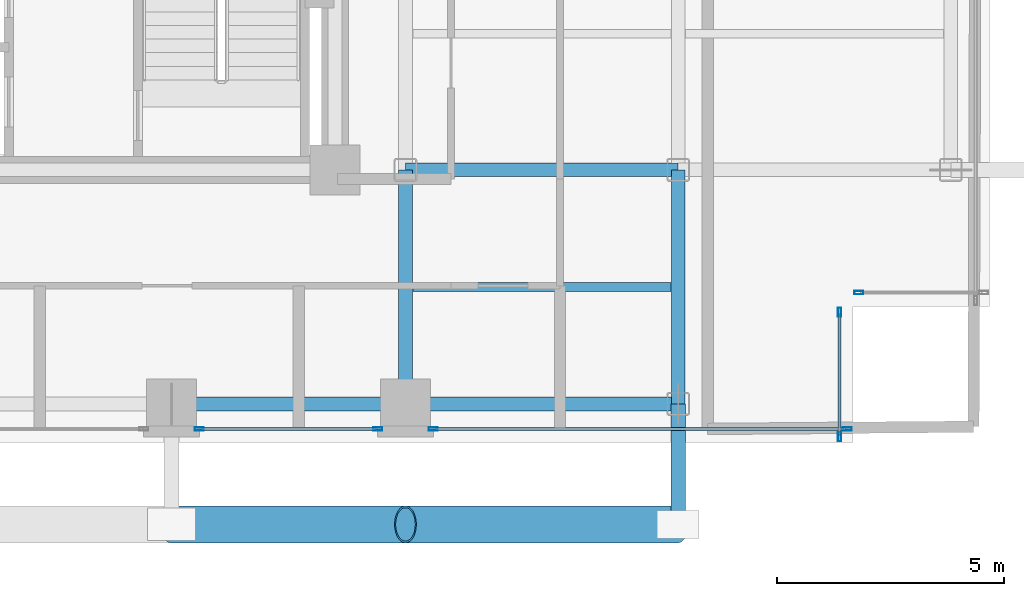
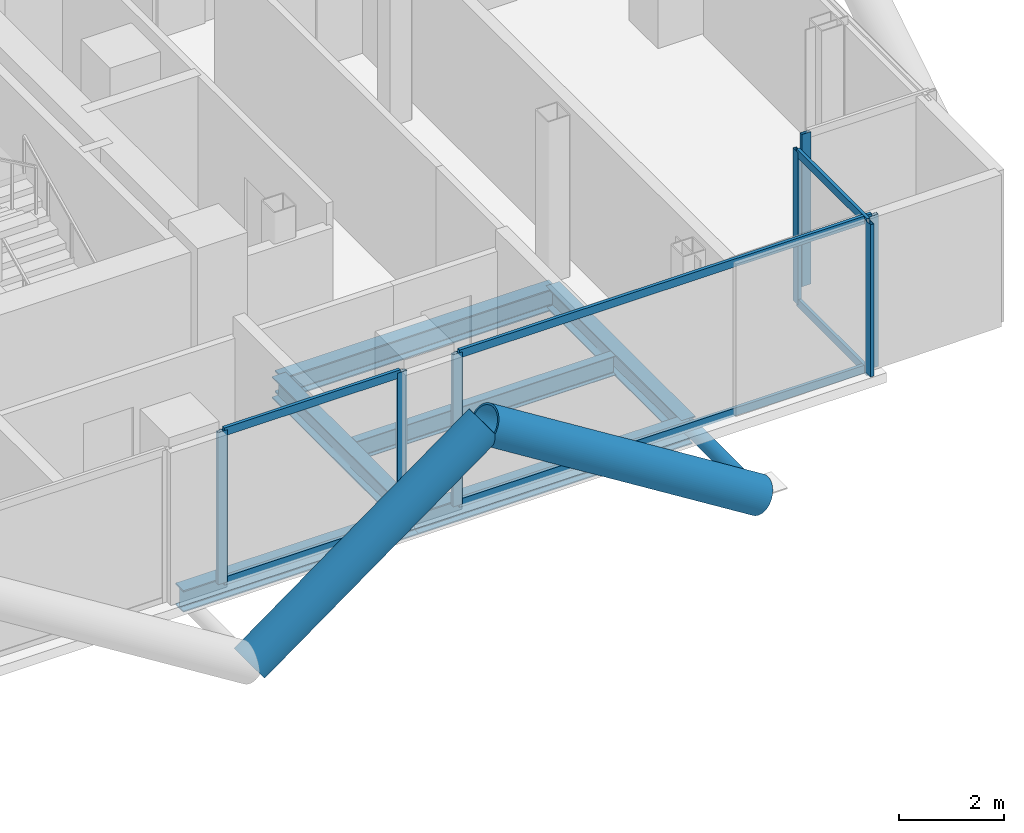
# One storey, part 9 of 24: 16 members, 6 beams, 4 elements without a shape of their own.
"""IFC4 building model written with IfcOpenShell, lengths in metres."""

from ifc_helpers import new_model, si_unit, direction, frame, origin, origin_2d, place, context, subcontext, project, spatial, hollow_rectangle, hollow_circle, i_section, extrude, material, layer, layer_set, material_profile, profile_set, type_object, element, aggregate, save


model = new_model("IFC4")

# Units and contexts
model_context = context("Model", 3, precision=1e-05, world=origin(), true_north=direction((0.0, 1.0)))
body_context = subcontext(model_context, "Body", "Model", "MODEL_VIEW")
ifc_project = project(units=[si_unit("LENGTHUNIT", "METRE"), si_unit("AREAUNIT", "SQUARE_METRE"), si_unit("VOLUMEUNIT", "CUBIC_METRE"), si_unit("PLANEANGLEUNIT", "RADIAN"), si_unit("MASSUNIT", "GRAM", prefix="KILO"), si_unit("THERMODYNAMICTEMPERATUREUNIT", "KELVIN"), si_unit("POWERUNIT", "WATT")], contexts=[model_context])

# Site, building, storey
site_placement = place(None, origin())
site = spatial("IfcSite", under=ifc_project, at=site_placement, CompositionType="ELEMENT")
building_placement = place(site_placement, origin())
building = spatial("IfcBuilding", under=site, at=building_placement, Name="Svarakhadi Broadcast Tower", CompositionType="ELEMENT")
storey_placement = place(building_placement, frame((0.0, 0.0, 126.89990234375)))
storey = spatial("IfcBuildingStorey", under=building, at=storey_placement, Name="L30", CompositionType="ELEMENT", Elevation=126.89990234375)

# Beam
ifc_material_1 = material(Name="Steel S355J2 (IS 2062 E350C)", Category="steel")
ifc_material_profile_1 = material_profile(ifc_material_1, i_section(OverallWidth=0.18994140625, OverallDepth=0.449951171875, WebThickness=0.009521484375, FlangeThickness=0.0146484375, FilletRadius=0.02099609375, at=origin_2d()), Name="NPB 450x190x78")
ifc_profile_set_1 = profile_set([ifc_material_profile_1], Name="Steel S355J2 (IS 2062 E350C)")
beam_type_1 = type_object("IfcBeamType", Name="Beam_NPB450", PredefinedType="BEAM", material=ifc_profile_set_1)
beam_1_placement = place(storey_placement, frame((35.31005859375, 3.425048828125, -0.449951171875), z_axis=(1.0, 0.0, 0.0), x_axis=(0.0, 1.0, 0.0)))
element("IfcBeam", 1, at=beam_1_placement, inside=storey, type_object=beam_type_1, Name="L30 Secondary Composite Beam SB019", PredefinedType="BEAM", context=body_context, shape_type="SweptSolid", body=[
    extrude(i_section(OverallWidth=0.18994140625, OverallDepth=0.449951171875, WebThickness=0.009521484375, FlangeThickness=0.0146484375, FilletRadius=0.02099609375, at=origin_2d()), origin(), (0.0, 0.0, 1.0), 5.679931640625),
])

# Curtain wall, member
ifc_material_2 = material(Name="Anodised Bronze Aluminium AA 6063-T6", Category="aluminium")
ifc_layer = layer(ifc_material_2, 0.199951171875)
ifc_layer_set = layer_set([ifc_layer], Name="Anodised Bronze Aluminium AA 6063-T6")
curtain_wall_type = type_object("IfcCurtainWallType", Name="CW_Sys_03", PredefinedType="NOTDEFINED", material=ifc_layer_set)
curtain_wall_1_placement = place(storey_placement, origin())
curtain_wall_1 = element("IfcCurtainWall", 2, at=curtain_wall_1_placement, inside=storey, type_object=curtain_wall_type, Name="L30 Unitised Facade Curtain Wall 14", PredefinedType="NOTDEFINED")
ifc_material_profile_2 = material_profile(ifc_material_2, hollow_rectangle(XDim=0.074951171875, YDim=0.199951171875, WallThickness=0.005615234375, at=origin_2d()), Name="ALU MULLION 200x75x6")
ifc_profile_set_2 = profile_set([ifc_material_profile_2], Name="Anodised Bronze Aluminium AA 6063-T6")
member_type_1 = type_object("IfcMemberType", Name="CW_Sys_03_Mul", PredefinedType="MULLION", material=ifc_profile_set_2)
member_1_placement = place(storey_placement, frame((45.12744140625, 3.300048828125, 0.0), z_axis=(0.0, 0.0, 1.0), x_axis=(0.0, -1.0, 0.0)))
member_1 = element("IfcMember", 3, at=member_1_placement, type_object=member_type_1, Name="CW-03 mullion 2", PredefinedType="MULLION", context=body_context, shape_type="SweptSolid", body=[
    extrude(hollow_rectangle(XDim=0.074951171875, YDim=0.199951171875, WallThickness=0.005615234375, at=origin_2d()), origin(), (0.0, 0.0, 1.0), 3.525146484375),
])
aggregate(curtain_wall_1, [member_1])

# Curtain wall, members
curtain_wall_2_placement = place(storey_placement, origin())
curtain_wall_2 = element("IfcCurtainWall", 4, at=curtain_wall_2_placement, inside=storey, type_object=curtain_wall_type, Name="L30 Unitised Facade Curtain Wall 15", PredefinedType="NOTDEFINED")
member_2_placement = place(storey_placement, frame((44.699951171875, 2.87255859375, 0.0), z_axis=(0.0, 0.0, 1.0), x_axis=(1.0, 0.0, 0.0)))
member_2 = element("IfcMember", 5, at=member_2_placement, type_object=member_type_1, Name="CW-03 mullion 1", PredefinedType="MULLION", context=body_context, shape_type="SweptSolid", body=[
    extrude(hollow_rectangle(XDim=0.074951171875, YDim=0.199951171875, WallThickness=0.005615234375, at=origin_2d()), origin(), (0.0, 0.0, 1.0), 3.525146484375),
])
member_3_placement = place(storey_placement, frame((44.699951171875, 0.12744140625, 0.0), z_axis=(0.0, 0.0, 1.0), x_axis=(1.0, 0.0, 0.0)))
member_3 = element("IfcMember", 6, at=member_3_placement, type_object=member_type_1, Name="CW-03 mullion 2", PredefinedType="MULLION", context=body_context, shape_type="SweptSolid", body=[
    extrude(hollow_rectangle(XDim=0.074951171875, YDim=0.199951171875, WallThickness=0.005615234375, at=origin_2d()), origin(), (0.0, 0.0, 1.0), 3.525146484375),
])

curtain_wall_3_placement = place(storey_placement, origin())
curtain_wall_3 = element("IfcCurtainWall", 7, at=curtain_wall_3_placement, inside=storey, type_object=curtain_wall_type, Name="L30 South Curtain Wall 16 Bay 1", PredefinedType="NOTDEFINED")
member_4_placement = place(storey_placement, frame((44.87255859375, 0.300048828125, 0.0), z_axis=(0.0, 0.0, 1.0), x_axis=(0.0, -1.0, 0.0)))
member_4 = element("IfcMember", 8, at=member_4_placement, type_object=member_type_1, Name="CW-03 mullion 1", PredefinedType="MULLION", context=body_context, shape_type="SweptSolid", body=[
    extrude(hollow_rectangle(XDim=0.074951171875, YDim=0.199951171875, WallThickness=0.005615234375, at=origin_2d()), origin(), (0.0, 0.0, 1.0), 3.525146484375),
])
member_5_placement = place(storey_placement, frame((35.757568359375, 0.300048828125, 0.0), z_axis=(0.0, 0.0, 1.0), x_axis=(0.0, -1.0, 0.0)))
member_5 = element("IfcMember", 9, at=member_5_placement, type_object=member_type_1, Name="CW-03 mullion 2", PredefinedType="MULLION", context=body_context, shape_type="SweptSolid", body=[
    extrude(hollow_rectangle(XDim=0.074951171875, YDim=0.199951171875, WallThickness=0.005615234375, at=origin_2d()), origin(), (0.0, 0.0, 1.0), 3.525146484375),
])

curtain_wall_4_placement = place(storey_placement, origin())
curtain_wall_4 = element("IfcCurtainWall", 10, at=curtain_wall_4_placement, inside=storey, type_object=curtain_wall_type, Name="L30 South Curtain Wall 16 Bay 2", PredefinedType="NOTDEFINED")
member_6_placement = place(storey_placement, frame((34.54248046875, 0.300048828125, 0.0), z_axis=(0.0, 0.0, 1.0), x_axis=(0.0, -1.0, 0.0)))
member_6 = element("IfcMember", 11, at=member_6_placement, type_object=member_type_1, Name="CW-03 mullion 1", PredefinedType="MULLION", context=body_context, shape_type="SweptSolid", body=[
    extrude(hollow_rectangle(XDim=0.074951171875, YDim=0.199951171875, WallThickness=0.005615234375, at=origin_2d()), origin(), (0.0, 0.0, 1.0), 3.525146484375),
])
member_7_placement = place(storey_placement, frame((30.607421875, 0.300048828125, 0.0), z_axis=(0.0, 0.0, 1.0), x_axis=(0.0, -1.0, 0.0)))
member_7 = element("IfcMember", 12, at=member_7_placement, type_object=member_type_1, Name="CW-03 mullion 2", PredefinedType="MULLION", context=body_context, shape_type="SweptSolid", body=[
    extrude(hollow_rectangle(XDim=0.074951171875, YDim=0.199951171875, WallThickness=0.005615234375, at=origin_2d()), origin(), (0.0, 0.0, 1.0), 3.525146484375),
])

# Member
ifc_material_profile_3 = material_profile(ifc_material_2, hollow_rectangle(XDim=0.070068359375, YDim=0.18505859375, WallThickness=0.0048828125, at=origin_2d()), Name="ALU TRANSOM 185x70x5")
ifc_profile_set_3 = profile_set([ifc_material_profile_3], Name="Anodised Bronze Aluminium AA 6063-T6")
member_type_2 = type_object("IfcMemberType", Name="CW_Sys_03_Trn", PredefinedType="USERDEFINED", material=ifc_profile_set_3)
member_8_placement = place(storey_placement, frame((44.699951171875, 2.8349609375, 0.03515625), z_axis=(0.0, -1.0, 0.0), x_axis=(1.0, 0.0, 0.0)))
member_8 = element("IfcMember", 13, at=member_8_placement, type_object=member_type_2, Name="CW-03 transom 1.1", ObjectType="TRANSOM", PredefinedType="USERDEFINED", context=body_context, shape_type="SweptSolid", body=[
    extrude(hollow_rectangle(XDim=0.070068359375, YDim=0.18505859375, WallThickness=0.0048828125, at=origin_2d()), origin(), (0.0, 0.0, 1.0), 2.669921875),
])

member_9_placement = place(storey_placement, frame((44.699951171875, 2.8349609375, 3.489990234375), z_axis=(0.0, -1.0, 0.0), x_axis=(1.0, 0.0, 0.0)))
member_9 = element("IfcMember", 14, at=member_9_placement, type_object=member_type_2, Name="CW-03 transom 1.2", ObjectType="TRANSOM", PredefinedType="USERDEFINED", context=body_context, shape_type="SweptSolid", body=[
    extrude(hollow_rectangle(XDim=0.070068359375, YDim=0.18505859375, WallThickness=0.0048828125, at=origin_2d()), origin(), (0.0, 0.0, 1.0), 2.669921875),
])

aggregate(curtain_wall_2, [member_2, member_3, member_8, member_9])

member_10_placement = place(storey_placement, frame((44.8349609375, 0.300048828125, 0.03515625), z_axis=(-1.0, 0.0, 0.0), x_axis=(0.0, -1.0, 0.0)))
member_10 = element("IfcMember", 15, at=member_10_placement, type_object=member_type_2, Name="CW-03 transom 1.1", ObjectType="TRANSOM", PredefinedType="USERDEFINED", context=body_context, shape_type="SweptSolid", body=[
    extrude(hollow_rectangle(XDim=0.070068359375, YDim=0.18505859375, WallThickness=0.0048828125, at=origin_2d()), origin(), (0.0, 0.0, 1.0), 9.0400390625),
])

member_11_placement = place(storey_placement, frame((44.8349609375, 0.300048828125, 3.489990234375), z_axis=(-1.0, 0.0, 0.0), x_axis=(0.0, -1.0, 0.0)))
member_11 = element("IfcMember", 16, at=member_11_placement, type_object=member_type_2, Name="CW-03 transom 1.2", ObjectType="TRANSOM", PredefinedType="USERDEFINED", context=body_context, shape_type="SweptSolid", body=[
    extrude(hollow_rectangle(XDim=0.070068359375, YDim=0.18505859375, WallThickness=0.0048828125, at=origin_2d()), origin(), (0.0, 0.0, 1.0), 9.0400390625),
])

aggregate(curtain_wall_3, [member_4, member_5, member_10, member_11])

member_12_placement = place(storey_placement, frame((34.5048828125, 0.300048828125, 0.03515625), z_axis=(-1.0, 0.0, 0.0), x_axis=(0.0, -1.0, 0.0)))
member_12 = element("IfcMember", 17, at=member_12_placement, type_object=member_type_2, Name="CW-03 transom 1.1", ObjectType="TRANSOM", PredefinedType="USERDEFINED", context=body_context, shape_type="SweptSolid", body=[
    extrude(hollow_rectangle(XDim=0.070068359375, YDim=0.18505859375, WallThickness=0.0048828125, at=origin_2d()), origin(), (0.0, 0.0, 1.0), 3.85986328125),
])

member_13_placement = place(storey_placement, frame((34.5048828125, 0.300048828125, 3.489990234375), z_axis=(-1.0, 0.0, 0.0), x_axis=(0.0, -1.0, 0.0)))
member_13 = element("IfcMember", 18, at=member_13_placement, type_object=member_type_2, Name="CW-03 transom 1.2", ObjectType="TRANSOM", PredefinedType="USERDEFINED", context=body_context, shape_type="SweptSolid", body=[
    extrude(hollow_rectangle(XDim=0.070068359375, YDim=0.18505859375, WallThickness=0.0048828125, at=origin_2d()), origin(), (0.0, 0.0, 1.0), 3.85986328125),
])

aggregate(curtain_wall_4, [member_6, member_7, member_12, member_13])

# Members
ifc_material_3 = material(Name="Steel S460ML (IS 2062 E450BR)", Category="steel")
ifc_material_profile_4 = material_profile(ifc_material_3, hollow_circle(Radius=0.406494140625, WallThickness=0.0400390625, at=origin_2d()), Name="CHS 813x40")
ifc_profile_set_4 = profile_set([ifc_material_profile_4], Name="Steel S460ML (IS 2062 E450BR)")
member_type_3 = type_object("IfcMemberType", Name="Exo_Brace_CHS813", PredefinedType="BRACE", material=ifc_profile_set_4)
member_14_placement = place(storey_placement, frame((30.0, -1.800048828125, -0.386962890625), z_axis=(0.808391243061, 0.0, 0.588645562407), x_axis=(0.0, 1.0, 0.0)))
element("IfcMember", 19, at=member_14_placement, inside=storey, type_object=member_type_3, Name="L30 Exposed Bronze Exoskeleton Diagonal S02", PredefinedType="BRACE", context=body_context, shape_type="SweptSolid", body=[
    extrude(hollow_circle(Radius=0.406494140625, WallThickness=0.0400390625, at=origin_2d()), origin(), (0.0, 0.0, 1.0), 6.37060546875),
])
member_15_placement = place(storey_placement, frame((41.14990234375, -1.800048828125, -0.386962890625), z_axis=(-0.847998304005, 0.0, 0.529998940003), x_axis=(0.0, -1.0, 0.0)))
element("IfcMember", 20, at=member_15_placement, inside=storey, type_object=member_type_3, Name="L30 Exposed Bronze Exoskeleton Diagonal S03", PredefinedType="BRACE", context=body_context, shape_type="SweptSolid", body=[
    extrude(hollow_circle(Radius=0.406494140625, WallThickness=0.0400390625, at=origin_2d()), origin(), (0.0, 0.0, 1.0), 7.075439453125),
])
ifc_material_profile_5 = material_profile(ifc_material_3, hollow_circle(Radius=0.161865234375, WallThickness=0.01611328125, at=origin_2d()), Name="CHS 323.9x16")
ifc_profile_set_5 = profile_set([ifc_material_profile_5], Name="Steel S460ML (IS 2062 E450BR)")
member_type_4 = type_object("IfcMemberType", Name="Exo_Radial_Strut_Z2", PredefinedType="STRUT", material=ifc_profile_set_5)
member_16_placement = place(storey_placement, frame((41.14990234375, -1.800048828125, -0.386962890625), z_axis=(0.0, 1.0, 0.0), x_axis=(-1.0, 0.0, 0.0)))
element("IfcMember", 21, at=member_16_placement, inside=storey, type_object=member_type_4, Name="L30 Exoskeleton Radial Tie Strut S04", PredefinedType="STRUT", context=body_context, shape_type="SweptSolid", body=[
    extrude(hollow_circle(Radius=0.161865234375, WallThickness=0.01611328125, at=origin_2d()), origin(), (0.0, 0.0, 1.0), 2.650146484375),
])

# Beams
ifc_material_profile_6 = material_profile(ifc_material_1, i_section(OverallWidth=0.300048828125, OverallDepth=0.5, WebThickness=0.014404296875, FlangeThickness=0.028076171875, FilletRadius=0.027099609375, at=origin_2d()), Name="WPB 500x300x187")
ifc_profile_set_6 = profile_set([ifc_material_profile_6], Name="Steel S355J2 (IS 2062 E350C)")
beam_type_2 = type_object("IfcBeamType", Name="Girder_WPB500", PredefinedType="USERDEFINED", material=ifc_profile_set_6)
beam_2_placement = place(storey_placement, frame((30.0, 0.85009765625, -0.474853515625), z_axis=(1.0, 0.0, 0.0), x_axis=(0.0, 1.0, 0.0)))
element("IfcBeam", 22, at=beam_2_placement, inside=storey, type_object=beam_type_2, Name="L30 Primary E-W Girder G008", ObjectType="GIRDER", PredefinedType="USERDEFINED", context=body_context, shape_type="SweptSolid", body=[
    extrude(i_section(OverallWidth=0.300048828125, OverallDepth=0.5, WebThickness=0.014404296875, FlangeThickness=0.028076171875, FilletRadius=0.027099609375, at=origin_2d()), origin(), (0.0, 0.0, 1.0), 5.14990234375),
])
for number, where, z_axis, x_axis, name in (
    (23, (35.14990234375, 0.85009765625, -0.474853515625), (1.0, 0.0, 0.0), (0.0, 1.0, 0.0), "L30 Primary E-W Girder G009"),
    (24, (35.14990234375, 6.0, -0.474853515625), (1.0, 0.0, 0.0), (0.0, 1.0, 0.0), "L30 Primary E-W Girder G015"),
):
    element("IfcBeam", number, at=place(storey_placement, frame(where, z_axis=z_axis, x_axis=x_axis)), inside=storey, type_object=beam_type_2, Name=name, ObjectType="GIRDER", PredefinedType="USERDEFINED", context=body_context, shape_type="SweptSolid", body=[
        extrude(i_section(OverallWidth=0.300048828125, OverallDepth=0.5, WebThickness=0.014404296875, FlangeThickness=0.028076171875, FilletRadius=0.027099609375, at=origin_2d()), origin(), (0.0, 0.0, 1.0), 6.0),
    ])
for number, where, z_axis, x_axis, name in (
    (25, (35.14990234375, 0.85009765625, -0.474853515625), (0.0, 1.0, 0.0), (-1.0, 0.0, 0.0), "L30 Primary N-S Girder G067"),
    (26, (41.14990234375, 0.85009765625, -0.474853515625), (0.0, 1.0, 0.0), (-1.0, 0.0, 0.0), "L30 Primary N-S Girder G070"),
):
    element("IfcBeam", number, at=place(storey_placement, frame(where, z_axis=z_axis, x_axis=x_axis)), inside=storey, type_object=beam_type_2, Name=name, ObjectType="GIRDER", PredefinedType="USERDEFINED", context=body_context, shape_type="SweptSolid", body=[
        extrude(i_section(OverallWidth=0.300048828125, OverallDepth=0.5, WebThickness=0.014404296875, FlangeThickness=0.028076171875, FilletRadius=0.027099609375, at=origin_2d()), origin(), (0.0, 0.0, 1.0), 5.14990234375),
    ])

save(model, "model.ifc")
